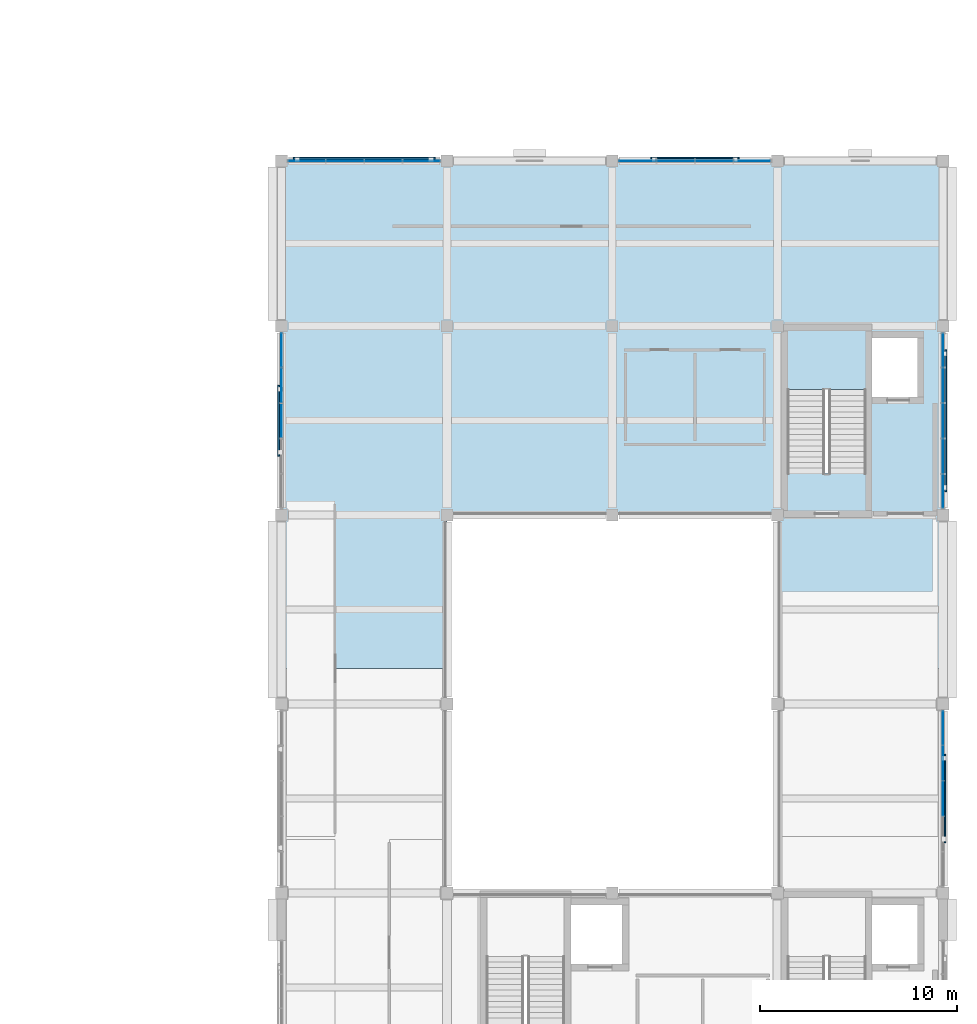
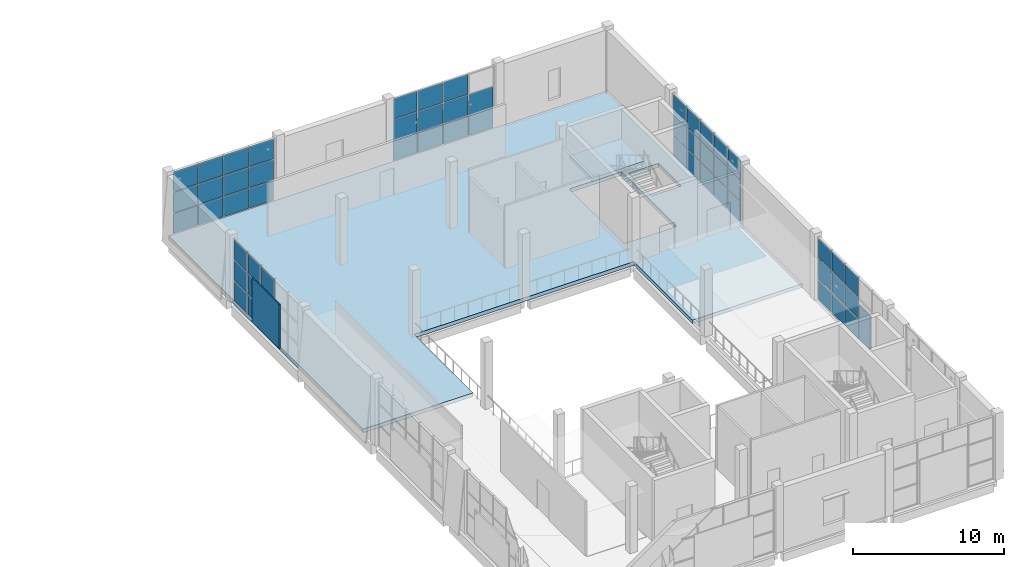
# One storey, part 36 of 57: 59 plates, 2 slabs, 6 elements without a shape of their own.
"""IFC4 building model written with IfcOpenShell, lengths in metres."""

from ifc_helpers import new_model, si_unit, direction, frame, origin, origin_2d, place, context, subcontext, project, spatial, polyline, rectangle, outline, extrude, material, layer, layer_set, type_object, element, aggregate, save


model = new_model("IFC4")

# Units and contexts
model_context = context("Model", 3, precision=1e-05, world=origin(), true_north=direction((0.0, 1.0)))
body_context = subcontext(model_context, "Body", "Model", "MODEL_VIEW")
ifc_project = project(units=[si_unit("LENGTHUNIT", "METRE"), si_unit("AREAUNIT", "SQUARE_METRE"), si_unit("VOLUMEUNIT", "CUBIC_METRE"), si_unit("PLANEANGLEUNIT", "RADIAN"), si_unit("MASSUNIT", "GRAM", prefix="KILO")], contexts=[model_context])

# Site, building, storey
site_placement = place(None, origin())
site = spatial("IfcSite", under=ifc_project, at=site_placement, CompositionType="ELEMENT")
building_placement = place(site_placement, origin())
building = spatial("IfcBuilding", under=site, at=building_placement, Name="Shalvenor Court Art Gallery", CompositionType="ELEMENT")
storey_placement = place(building_placement, frame((0.0, 0.0, 16.800048828125)))
storey = spatial("IfcBuildingStorey", under=building, at=storey_placement, Name="L03", CompositionType="ELEMENT", Elevation=16.800048828125)

# Curtain wall, plates
ifc_material_1 = material(Name="Anodised aluminium and low-iron glass curtain wall", Category="aluminium")
curtain_wall_type_1 = type_object("IfcCurtainWallType", Name="CW-4x3-78-51-142", PredefinedType="USERDEFINED", material=ifc_material_1)
curtain_wall_1_placement = place(storey_placement, origin())
curtain_wall_1 = element("IfcCurtainWall", 1, at=curtain_wall_1_placement, inside=storey, type_object=curtain_wall_type_1, Name="L03 V1 Curtain Wall CW-L03-020", ObjectType="CURTAIN WALL", PredefinedType="USERDEFINED")
ifc_material_2 = material(Name="Low-iron triple-silver solar gallery glazing IGU", Category="glass")
ifc_layer_1 = layer(ifc_material_2, 0.031982421875, Name="Low-iron triple-silver solar gallery glazing IGU")
ifc_layer_set_1 = layer_set([ifc_layer_1], Name="Low-iron triple-silver solar gallery glazing IGU")
plate_type_1 = type_object("IfcPlateType", Name="CWP-02", PredefinedType="CURTAIN_PANEL", material=ifc_layer_set_1)
plate_1_placement = place(storey_placement, frame((144.09130859375, 97.199951171875, 0.06982421875), z_axis=(0.0, 0.0, 1.0), x_axis=(1.0, 0.0, 0.0)))
plate_1 = element("IfcPlate", 2, at=plate_1_placement, type_object=plate_type_1, Name="CW-4x3-78-51-142 panel 1.1", PredefinedType="CURTAIN_PANEL", context=body_context, shape_type="SweptSolid", body=[
    extrude(rectangle(XDim=1.8525390625, YDim=0.031982421875, at=origin_2d()), origin(), (0.0, 0.0, 1.0), 1.594970703125),
])
plate_2_placement = place(storey_placement, frame((144.09130859375, 97.199951171875, 1.735107421875), z_axis=(0.0, 0.0, 1.0), x_axis=(1.0, 0.0, 0.0)))
plate_2 = element("IfcPlate", 3, at=plate_2_placement, type_object=plate_type_1, Name="CW-4x3-78-51-142 panel 1.2", PredefinedType="CURTAIN_PANEL", context=body_context, shape_type="SweptSolid", body=[
    extrude(rectangle(XDim=1.8525390625, YDim=0.031982421875, at=origin_2d()), origin(), (0.0, 0.0, 1.0), 1.6298828125),
])
plate_3_placement = place(storey_placement, frame((144.09130859375, 97.199951171875, 3.43505859375), z_axis=(0.0, 0.0, 1.0), x_axis=(1.0, 0.0, 0.0)))
plate_3 = element("IfcPlate", 4, at=plate_3_placement, type_object=plate_type_1, Name="CW-4x3-78-51-142 panel 1.3", PredefinedType="CURTAIN_PANEL", context=body_context, shape_type="SweptSolid", body=[
    extrude(rectangle(XDim=1.8525390625, YDim=0.031982421875, at=origin_2d()), origin(), (0.0, 0.0, 1.0), 1.594970703125),
])
plate_4_placement = place(storey_placement, frame((146.02490234375, 97.199951171875, 0.06982421875), z_axis=(0.0, 0.0, 1.0), x_axis=(1.0, 0.0, 0.0)))
plate_4 = element("IfcPlate", 5, at=plate_4_placement, type_object=plate_type_1, Name="CW-4x3-78-51-142 panel 2.1", PredefinedType="CURTAIN_PANEL", context=body_context, shape_type="SweptSolid", body=[
    extrude(rectangle(XDim=1.885009765625, YDim=0.031982421875, at=origin_2d()), origin(), (0.0, 0.0, 1.0), 1.594970703125),
])
plate_5_placement = place(storey_placement, frame((146.02490234375, 97.199951171875, 1.735107421875), z_axis=(0.0, 0.0, 1.0), x_axis=(1.0, 0.0, 0.0)))
plate_5 = element("IfcPlate", 6, at=plate_5_placement, type_object=plate_type_1, Name="CW-4x3-78-51-142 panel 2.2", PredefinedType="CURTAIN_PANEL", context=body_context, shape_type="SweptSolid", body=[
    extrude(rectangle(XDim=1.885009765625, YDim=0.031982421875, at=origin_2d()), origin(), (0.0, 0.0, 1.0), 1.6298828125),
])
plate_6_placement = place(storey_placement, frame((146.02490234375, 97.199951171875, 3.43505859375), z_axis=(0.0, 0.0, 1.0), x_axis=(1.0, 0.0, 0.0)))
plate_6 = element("IfcPlate", 7, at=plate_6_placement, type_object=plate_type_1, Name="CW-4x3-78-51-142 panel 2.3", PredefinedType="CURTAIN_PANEL", context=body_context, shape_type="SweptSolid", body=[
    extrude(rectangle(XDim=1.885009765625, YDim=0.031982421875, at=origin_2d()), origin(), (0.0, 0.0, 1.0), 1.594970703125),
])
plate_7_placement = place(storey_placement, frame((147.97509765625, 97.199951171875, 0.06982421875), z_axis=(0.0, 0.0, 1.0), x_axis=(1.0, 0.0, 0.0)))
plate_7 = element("IfcPlate", 8, at=plate_7_placement, type_object=plate_type_1, Name="CW-4x3-78-51-142 panel 3.1", PredefinedType="CURTAIN_PANEL", context=body_context, shape_type="SweptSolid", body=[
    extrude(rectangle(XDim=1.885009765625, YDim=0.031982421875, at=origin_2d()), origin(), (0.0, 0.0, 1.0), 1.594970703125),
])
plate_8_placement = place(storey_placement, frame((147.97509765625, 97.199951171875, 1.735107421875), z_axis=(0.0, 0.0, 1.0), x_axis=(1.0, 0.0, 0.0)))
plate_8 = element("IfcPlate", 9, at=plate_8_placement, type_object=plate_type_1, Name="CW-4x3-78-51-142 panel 3.2", PredefinedType="CURTAIN_PANEL", context=body_context, shape_type="SweptSolid", body=[
    extrude(rectangle(XDim=1.885009765625, YDim=0.031982421875, at=origin_2d()), origin(), (0.0, 0.0, 1.0), 1.6298828125),
])
plate_9_placement = place(storey_placement, frame((147.97509765625, 97.199951171875, 3.43505859375), z_axis=(0.0, 0.0, 1.0), x_axis=(1.0, 0.0, 0.0)))
plate_9 = element("IfcPlate", 10, at=plate_9_placement, type_object=plate_type_1, Name="CW-4x3-78-51-142 panel 3.3", PredefinedType="CURTAIN_PANEL", context=body_context, shape_type="SweptSolid", body=[
    extrude(rectangle(XDim=1.885009765625, YDim=0.031982421875, at=origin_2d()), origin(), (0.0, 0.0, 1.0), 1.594970703125),
])
plate_10_placement = place(storey_placement, frame((149.90869140625, 97.199951171875, 0.06982421875), z_axis=(0.0, 0.0, 1.0), x_axis=(1.0, 0.0, 0.0)))
plate_10 = element("IfcPlate", 11, at=plate_10_placement, type_object=plate_type_1, Name="CW-4x3-78-51-142 panel 4.1", PredefinedType="CURTAIN_PANEL", context=body_context, shape_type="SweptSolid", body=[
    extrude(rectangle(XDim=1.8525390625, YDim=0.031982421875, at=origin_2d()), origin(), (0.0, 0.0, 1.0), 1.594970703125),
])
plate_11_placement = place(storey_placement, frame((149.90869140625, 97.199951171875, 1.735107421875), z_axis=(0.0, 0.0, 1.0), x_axis=(1.0, 0.0, 0.0)))
plate_11 = element("IfcPlate", 12, at=plate_11_placement, type_object=plate_type_1, Name="CW-4x3-78-51-142 panel 4.2", PredefinedType="CURTAIN_PANEL", context=body_context, shape_type="SweptSolid", body=[
    extrude(rectangle(XDim=1.8525390625, YDim=0.031982421875, at=origin_2d()), origin(), (0.0, 0.0, 1.0), 1.6298828125),
])
plate_12_placement = place(storey_placement, frame((149.90869140625, 97.199951171875, 3.43505859375), z_axis=(0.0, 0.0, 1.0), x_axis=(1.0, 0.0, 0.0)))
plate_12 = element("IfcPlate", 13, at=plate_12_placement, type_object=plate_type_1, Name="CW-4x3-78-51-142 panel 4.3", PredefinedType="CURTAIN_PANEL", context=body_context, shape_type="SweptSolid", body=[
    extrude(rectangle(XDim=1.8525390625, YDim=0.031982421875, at=origin_2d()), origin(), (0.0, 0.0, 1.0), 1.594970703125),
])
aggregate(curtain_wall_1, [plate_1, plate_2, plate_3, plate_4, plate_5, plate_6, plate_7, plate_8, plate_9, plate_10, plate_11, plate_12])

ifc_material_3 = material(Name="Anodised aluminium and low-iron glass curtain wall", Category="aluminium")
curtain_wall_type_2 = type_object("IfcCurtainWallType", Name="CW-4x3-78-51-212", PredefinedType="USERDEFINED", material=ifc_material_3)
curtain_wall_2_placement = place(storey_placement, origin())
curtain_wall_2 = element("IfcCurtainWall", 14, at=curtain_wall_2_placement, inside=storey, type_object=curtain_wall_type_2, Name="L03 V1 Curtain Wall CW-L03-021", ObjectType="CURTAIN WALL", PredefinedType="USERDEFINED")
plate_13_placement = place(storey_placement, frame((160.892578125, 97.199951171875, 0.06005859375), z_axis=(0.0, 0.0, 1.0), x_axis=(1.0, 0.0, 0.0)))
plate_13 = element("IfcPlate", 15, at=plate_13_placement, type_object=plate_type_1, Name="CW-4x3-78-51-212 panel 1.1", PredefinedType="CURTAIN_PANEL", context=body_context, shape_type="SweptSolid", body=[
    extrude(rectangle(XDim=1.844970703125, YDim=0.031982421875, at=origin_2d()), origin(), (0.0, 0.0, 1.0), 1.610107421875),
])
plate_14_placement = place(storey_placement, frame((160.892578125, 97.199951171875, 1.72998046875), z_axis=(0.0, 0.0, 1.0), x_axis=(1.0, 0.0, 0.0)))
plate_14 = element("IfcPlate", 16, at=plate_14_placement, type_object=plate_type_1, Name="CW-4x3-78-51-212 panel 1.2", PredefinedType="CURTAIN_PANEL", context=body_context, shape_type="SweptSolid", body=[
    extrude(rectangle(XDim=1.844970703125, YDim=0.031982421875, at=origin_2d()), origin(), (0.0, 0.0, 1.0), 1.639892578125),
])
plate_15_placement = place(storey_placement, frame((160.892578125, 97.199951171875, 3.4296875), z_axis=(0.0, 0.0, 1.0), x_axis=(1.0, 0.0, 0.0)))
plate_15 = element("IfcPlate", 17, at=plate_15_placement, type_object=plate_type_1, Name="CW-4x3-78-51-212 panel 1.3", PredefinedType="CURTAIN_PANEL", context=body_context, shape_type="SweptSolid", body=[
    extrude(rectangle(XDim=1.844970703125, YDim=0.031982421875, at=origin_2d()), origin(), (0.0, 0.0, 1.0), 1.610107421875),
])
plate_16_placement = place(storey_placement, frame((162.824951171875, 97.199951171875, 0.06005859375), z_axis=(0.0, 0.0, 1.0), x_axis=(1.0, 0.0, 0.0)))
plate_16 = element("IfcPlate", 18, at=plate_16_placement, type_object=plate_type_1, Name="CW-4x3-78-51-212 panel 2.1", PredefinedType="CURTAIN_PANEL", context=body_context, shape_type="SweptSolid", body=[
    extrude(rectangle(XDim=1.8798828125, YDim=0.031982421875, at=origin_2d()), origin(), (0.0, 0.0, 1.0), 1.610107421875),
])
plate_17_placement = place(storey_placement, frame((162.824951171875, 97.199951171875, 1.72998046875), z_axis=(0.0, 0.0, 1.0), x_axis=(1.0, 0.0, 0.0)))
plate_17 = element("IfcPlate", 19, at=plate_17_placement, type_object=plate_type_1, Name="CW-4x3-78-51-212 panel 2.2", PredefinedType="CURTAIN_PANEL", context=body_context, shape_type="SweptSolid", body=[
    extrude(rectangle(XDim=1.8798828125, YDim=0.031982421875, at=origin_2d()), origin(), (0.0, 0.0, 1.0), 1.639892578125),
])
plate_18_placement = place(storey_placement, frame((162.824951171875, 97.199951171875, 3.4296875), z_axis=(0.0, 0.0, 1.0), x_axis=(1.0, 0.0, 0.0)))
plate_18 = element("IfcPlate", 20, at=plate_18_placement, type_object=plate_type_1, Name="CW-4x3-78-51-212 panel 2.3", PredefinedType="CURTAIN_PANEL", context=body_context, shape_type="SweptSolid", body=[
    extrude(rectangle(XDim=1.8798828125, YDim=0.031982421875, at=origin_2d()), origin(), (0.0, 0.0, 1.0), 1.610107421875),
])
plate_19_placement = place(storey_placement, frame((164.77490234375, 97.199951171875, 0.06005859375), z_axis=(0.0, 0.0, 1.0), x_axis=(1.0, 0.0, 0.0)))
plate_19 = element("IfcPlate", 21, at=plate_19_placement, type_object=plate_type_1, Name="CW-4x3-78-51-212 panel 3.1", PredefinedType="CURTAIN_PANEL", context=body_context, shape_type="SweptSolid", body=[
    extrude(rectangle(XDim=1.8798828125, YDim=0.031982421875, at=origin_2d()), origin(), (0.0, 0.0, 1.0), 1.610107421875),
])
plate_20_placement = place(storey_placement, frame((164.77490234375, 97.199951171875, 1.72998046875), z_axis=(0.0, 0.0, 1.0), x_axis=(1.0, 0.0, 0.0)))
plate_20 = element("IfcPlate", 22, at=plate_20_placement, type_object=plate_type_1, Name="CW-4x3-78-51-212 panel 3.2", PredefinedType="CURTAIN_PANEL", context=body_context, shape_type="SweptSolid", body=[
    extrude(rectangle(XDim=1.8798828125, YDim=0.031982421875, at=origin_2d()), origin(), (0.0, 0.0, 1.0), 1.639892578125),
])
plate_21_placement = place(storey_placement, frame((164.77490234375, 97.199951171875, 3.4296875), z_axis=(0.0, 0.0, 1.0), x_axis=(1.0, 0.0, 0.0)))
plate_21 = element("IfcPlate", 23, at=plate_21_placement, type_object=plate_type_1, Name="CW-4x3-78-51-212 panel 3.3", PredefinedType="CURTAIN_PANEL", context=body_context, shape_type="SweptSolid", body=[
    extrude(rectangle(XDim=1.8798828125, YDim=0.031982421875, at=origin_2d()), origin(), (0.0, 0.0, 1.0), 1.610107421875),
])
plate_22_placement = place(storey_placement, frame((166.70751953125, 97.199951171875, 0.06005859375), z_axis=(0.0, 0.0, 1.0), x_axis=(1.0, 0.0, 0.0)))
plate_22 = element("IfcPlate", 24, at=plate_22_placement, type_object=plate_type_1, Name="CW-4x3-78-51-212 panel 4.1", PredefinedType="CURTAIN_PANEL", context=body_context, shape_type="SweptSolid", body=[
    extrude(rectangle(XDim=1.844970703125, YDim=0.031982421875, at=origin_2d()), origin(), (0.0, 0.0, 1.0), 1.610107421875),
])
plate_23_placement = place(storey_placement, frame((166.70751953125, 97.199951171875, 1.72998046875), z_axis=(0.0, 0.0, 1.0), x_axis=(1.0, 0.0, 0.0)))
plate_23 = element("IfcPlate", 25, at=plate_23_placement, type_object=plate_type_1, Name="CW-4x3-78-51-212 panel 4.2", PredefinedType="CURTAIN_PANEL", context=body_context, shape_type="SweptSolid", body=[
    extrude(rectangle(XDim=1.844970703125, YDim=0.031982421875, at=origin_2d()), origin(), (0.0, 0.0, 1.0), 1.639892578125),
])
aggregate(curtain_wall_2, [plate_13, plate_14, plate_15, plate_16, plate_17, plate_18, plate_19, plate_20, plate_21, plate_22, plate_23])

ifc_material_4 = material(Name="Anodised aluminium and low-iron glass curtain wall", Category="aluminium")
curtain_wall_type_3 = type_object("IfcCurtainWallType", Name="CW-5x3-90-51-422", PredefinedType="USERDEFINED", material=ifc_material_4)
curtain_wall_3_placement = place(storey_placement, origin())
curtain_wall_3 = element("IfcCurtainWall", 26, at=curtain_wall_3_placement, inside=storey, type_object=curtain_wall_type_3, Name="L03 V1 Curtain Wall CW-L03-022", ObjectType="CURTAIN WALL", PredefinedType="USERDEFINED")
plate_24_placement = place(storey_placement, frame((176.39990234375, 87.581298828125, 0.06494140625), z_axis=(0.0, 0.0, 1.0), x_axis=(0.0, -1.0, 0.0)))
plate_24 = element("IfcPlate", 27, at=plate_24_placement, type_object=plate_type_1, Name="CW-5x3-90-51-422 panel 1.1", PredefinedType="CURTAIN_PANEL", context=body_context, shape_type="SweptSolid", body=[
    extrude(rectangle(XDim=1.6875, YDim=0.031982421875, at=origin_2d()), origin(), (0.0, 0.0, 1.0), 1.6025390625),
])
plate_25_placement = place(storey_placement, frame((176.39990234375, 87.581298828125, 1.732421875), z_axis=(0.0, 0.0, 1.0), x_axis=(0.0, -1.0, 0.0)))
plate_25 = element("IfcPlate", 28, at=plate_25_placement, type_object=plate_type_1, Name="CW-5x3-90-51-422 panel 1.2", PredefinedType="CURTAIN_PANEL", context=body_context, shape_type="SweptSolid", body=[
    extrude(rectangle(XDim=1.6875, YDim=0.031982421875, at=origin_2d()), origin(), (0.0, 0.0, 1.0), 1.635009765625),
])
plate_26_placement = place(storey_placement, frame((176.39990234375, 87.581298828125, 3.432373046875), z_axis=(0.0, 0.0, 1.0), x_axis=(0.0, -1.0, 0.0)))
plate_26 = element("IfcPlate", 29, at=plate_26_placement, type_object=plate_type_1, Name="CW-5x3-90-51-422 panel 1.3", PredefinedType="CURTAIN_PANEL", context=body_context, shape_type="SweptSolid", body=[
    extrude(rectangle(XDim=1.6875, YDim=0.031982421875, at=origin_2d()), origin(), (0.0, 0.0, 1.0), 1.6025390625),
])
plate_27_placement = place(storey_placement, frame((176.39990234375, 85.800048828125, 0.06494140625), z_axis=(0.0, 0.0, 1.0), x_axis=(0.0, -1.0, 0.0)))
plate_27 = element("IfcPlate", 30, at=plate_27_placement, type_object=plate_type_1, Name="CW-5x3-90-51-422 panel 2.1", PredefinedType="CURTAIN_PANEL", context=body_context, shape_type="SweptSolid", body=[
    extrude(rectangle(XDim=1.72509765625, YDim=0.031982421875, at=origin_2d()), origin(), (0.0, 0.0, 1.0), 1.6025390625),
])
plate_28_placement = place(storey_placement, frame((176.39990234375, 85.800048828125, 1.732421875), z_axis=(0.0, 0.0, 1.0), x_axis=(0.0, -1.0, 0.0)))
plate_28 = element("IfcPlate", 31, at=plate_28_placement, type_object=plate_type_1, Name="CW-5x3-90-51-422 panel 2.2", PredefinedType="CURTAIN_PANEL", context=body_context, shape_type="SweptSolid", body=[
    extrude(rectangle(XDim=1.72509765625, YDim=0.031982421875, at=origin_2d()), origin(), (0.0, 0.0, 1.0), 1.635009765625),
])
plate_29_placement = place(storey_placement, frame((176.39990234375, 85.800048828125, 3.432373046875), z_axis=(0.0, 0.0, 1.0), x_axis=(0.0, -1.0, 0.0)))
plate_29 = element("IfcPlate", 32, at=plate_29_placement, type_object=plate_type_1, Name="CW-5x3-90-51-422 panel 2.3", PredefinedType="CURTAIN_PANEL", context=body_context, shape_type="SweptSolid", body=[
    extrude(rectangle(XDim=1.72509765625, YDim=0.031982421875, at=origin_2d()), origin(), (0.0, 0.0, 1.0), 1.6025390625),
])
plate_30_placement = place(storey_placement, frame((176.39990234375, 84.0, 0.06494140625), z_axis=(0.0, 0.0, 1.0), x_axis=(0.0, -1.0, 0.0)))
plate_30 = element("IfcPlate", 33, at=plate_30_placement, type_object=plate_type_1, Name="CW-5x3-90-51-422 panel 3.1", PredefinedType="CURTAIN_PANEL", context=body_context, shape_type="SweptSolid", body=[
    extrude(rectangle(XDim=1.72509765625, YDim=0.031982421875, at=origin_2d()), origin(), (0.0, 0.0, 1.0), 1.6025390625),
])
plate_31_placement = place(storey_placement, frame((176.39990234375, 84.0, 1.732421875), z_axis=(0.0, 0.0, 1.0), x_axis=(0.0, -1.0, 0.0)))
plate_31 = element("IfcPlate", 34, at=plate_31_placement, type_object=plate_type_1, Name="CW-5x3-90-51-422 panel 3.2", PredefinedType="CURTAIN_PANEL", context=body_context, shape_type="SweptSolid", body=[
    extrude(rectangle(XDim=1.72509765625, YDim=0.031982421875, at=origin_2d()), origin(), (0.0, 0.0, 1.0), 1.635009765625),
])
plate_32_placement = place(storey_placement, frame((176.39990234375, 84.0, 3.432373046875), z_axis=(0.0, 0.0, 1.0), x_axis=(0.0, -1.0, 0.0)))
plate_32 = element("IfcPlate", 35, at=plate_32_placement, type_object=plate_type_1, Name="CW-5x3-90-51-422 panel 3.3", PredefinedType="CURTAIN_PANEL", context=body_context, shape_type="SweptSolid", body=[
    extrude(rectangle(XDim=1.72509765625, YDim=0.031982421875, at=origin_2d()), origin(), (0.0, 0.0, 1.0), 1.6025390625),
])
plate_33_placement = place(storey_placement, frame((176.39990234375, 82.199951171875, 0.06494140625), z_axis=(0.0, 0.0, 1.0), x_axis=(0.0, -1.0, 0.0)))
plate_33 = element("IfcPlate", 36, at=plate_33_placement, type_object=plate_type_1, Name="CW-5x3-90-51-422 panel 4.1", PredefinedType="CURTAIN_PANEL", context=body_context, shape_type="SweptSolid", body=[
    extrude(rectangle(XDim=1.72509765625, YDim=0.031982421875, at=origin_2d()), origin(), (0.0, 0.0, 1.0), 1.6025390625),
])
plate_34_placement = place(storey_placement, frame((176.39990234375, 82.199951171875, 1.732421875), z_axis=(0.0, 0.0, 1.0), x_axis=(0.0, -1.0, 0.0)))
plate_34 = element("IfcPlate", 37, at=plate_34_placement, type_object=plate_type_1, Name="CW-5x3-90-51-422 panel 4.2", PredefinedType="CURTAIN_PANEL", context=body_context, shape_type="SweptSolid", body=[
    extrude(rectangle(XDim=1.72509765625, YDim=0.031982421875, at=origin_2d()), origin(), (0.0, 0.0, 1.0), 1.635009765625),
])
plate_35_placement = place(storey_placement, frame((176.39990234375, 82.199951171875, 3.432373046875), z_axis=(0.0, 0.0, 1.0), x_axis=(0.0, -1.0, 0.0)))
plate_35 = element("IfcPlate", 38, at=plate_35_placement, type_object=plate_type_1, Name="CW-5x3-90-51-422 panel 4.3", PredefinedType="CURTAIN_PANEL", context=body_context, shape_type="SweptSolid", body=[
    extrude(rectangle(XDim=1.72509765625, YDim=0.031982421875, at=origin_2d()), origin(), (0.0, 0.0, 1.0), 1.6025390625),
])
plate_36_placement = place(storey_placement, frame((176.39990234375, 80.418701171875, 0.06494140625), z_axis=(0.0, 0.0, 1.0), x_axis=(0.0, -1.0, 0.0)))
plate_36 = element("IfcPlate", 39, at=plate_36_placement, type_object=plate_type_1, Name="CW-5x3-90-51-422 panel 5.1", PredefinedType="CURTAIN_PANEL", context=body_context, shape_type="SweptSolid", body=[
    extrude(rectangle(XDim=1.6875, YDim=0.031982421875, at=origin_2d()), origin(), (0.0, 0.0, 1.0), 1.6025390625),
])
plate_37_placement = place(storey_placement, frame((176.39990234375, 80.418701171875, 1.732421875), z_axis=(0.0, 0.0, 1.0), x_axis=(0.0, -1.0, 0.0)))
plate_37 = element("IfcPlate", 40, at=plate_37_placement, type_object=plate_type_1, Name="CW-5x3-90-51-422 panel 5.2", PredefinedType="CURTAIN_PANEL", context=body_context, shape_type="SweptSolid", body=[
    extrude(rectangle(XDim=1.6875, YDim=0.031982421875, at=origin_2d()), origin(), (0.0, 0.0, 1.0), 1.635009765625),
])
plate_38_placement = place(storey_placement, frame((176.39990234375, 80.418701171875, 3.432373046875), z_axis=(0.0, 0.0, 1.0), x_axis=(0.0, -1.0, 0.0)))
plate_38 = element("IfcPlate", 41, at=plate_38_placement, type_object=plate_type_1, Name="CW-5x3-90-51-422 panel 5.3", PredefinedType="CURTAIN_PANEL", context=body_context, shape_type="SweptSolid", body=[
    extrude(rectangle(XDim=1.6875, YDim=0.031982421875, at=origin_2d()), origin(), (0.0, 0.0, 1.0), 1.6025390625),
])
aggregate(curtain_wall_3, [plate_24, plate_25, plate_26, plate_27, plate_28, plate_29, plate_30, plate_31, plate_32, plate_33, plate_34, plate_35, plate_36, plate_37, plate_38])

ifc_material_5 = material(Name="Anodised aluminium and low-iron glass curtain wall", Category="aluminium")
curtain_wall_type_4 = type_object("IfcCurtainWallType", Name="CW-5x3-90-51-642", PredefinedType="USERDEFINED", material=ifc_material_5)
curtain_wall_4_placement = place(storey_placement, origin())
curtain_wall_4 = element("IfcCurtainWall", 42, at=curtain_wall_4_placement, inside=storey, type_object=curtain_wall_type_4, Name="L03 V1 Curtain Wall CW-L03-023", ObjectType="CURTAIN WALL", PredefinedType="USERDEFINED")
plate_39_placement = place(storey_placement, frame((176.39990234375, 68.38623046875, 0.06982421875), z_axis=(0.0, 0.0, 1.0), x_axis=(0.0, -1.0, 0.0)))
plate_39 = element("IfcPlate", 43, at=plate_39_placement, type_object=plate_type_1, Name="CW-5x3-90-51-642 panel 1.1", PredefinedType="CURTAIN_PANEL", context=body_context, shape_type="SweptSolid", body=[
    extrude(rectangle(XDim=1.717529296875, YDim=0.031982421875, at=origin_2d()), origin(), (0.0, 0.0, 1.0), 1.594970703125),
])
plate_40_placement = place(storey_placement, frame((176.39990234375, 68.38623046875, 1.735107421875), z_axis=(0.0, 0.0, 1.0), x_axis=(0.0, -1.0, 0.0)))
plate_40 = element("IfcPlate", 44, at=plate_40_placement, type_object=plate_type_1, Name="CW-5x3-90-51-642 panel 1.2", PredefinedType="CURTAIN_PANEL", context=body_context, shape_type="SweptSolid", body=[
    extrude(rectangle(XDim=1.717529296875, YDim=0.031982421875, at=origin_2d()), origin(), (0.0, 0.0, 1.0), 1.6298828125),
])
plate_41_placement = place(storey_placement, frame((176.39990234375, 68.38623046875, 3.43505859375), z_axis=(0.0, 0.0, 1.0), x_axis=(0.0, -1.0, 0.0)))
plate_41 = element("IfcPlate", 45, at=plate_41_placement, type_object=plate_type_1, Name="CW-5x3-90-51-642 panel 1.3", PredefinedType="CURTAIN_PANEL", context=body_context, shape_type="SweptSolid", body=[
    extrude(rectangle(XDim=1.717529296875, YDim=0.031982421875, at=origin_2d()), origin(), (0.0, 0.0, 1.0), 1.594970703125),
])
plate_42_placement = place(storey_placement, frame((176.39990234375, 66.60009765625, 0.06982421875), z_axis=(0.0, 0.0, 1.0), x_axis=(0.0, -1.0, 0.0)))
plate_42 = element("IfcPlate", 46, at=plate_42_placement, type_object=plate_type_1, Name="CW-5x3-90-51-642 panel 2.1", PredefinedType="CURTAIN_PANEL", context=body_context, shape_type="SweptSolid", body=[
    extrude(rectangle(XDim=1.7451171875, YDim=0.031982421875, at=origin_2d()), origin(), (0.0, 0.0, 1.0), 1.594970703125),
])
plate_43_placement = place(storey_placement, frame((176.39990234375, 66.60009765625, 1.735107421875), z_axis=(0.0, 0.0, 1.0), x_axis=(0.0, -1.0, 0.0)))
plate_43 = element("IfcPlate", 47, at=plate_43_placement, type_object=plate_type_1, Name="CW-5x3-90-51-642 panel 2.2", PredefinedType="CURTAIN_PANEL", context=body_context, shape_type="SweptSolid", body=[
    extrude(rectangle(XDim=1.7451171875, YDim=0.031982421875, at=origin_2d()), origin(), (0.0, 0.0, 1.0), 1.6298828125),
])
plate_44_placement = place(storey_placement, frame((176.39990234375, 66.60009765625, 3.43505859375), z_axis=(0.0, 0.0, 1.0), x_axis=(0.0, -1.0, 0.0)))
plate_44 = element("IfcPlate", 48, at=plate_44_placement, type_object=plate_type_1, Name="CW-5x3-90-51-642 panel 2.3", PredefinedType="CURTAIN_PANEL", context=body_context, shape_type="SweptSolid", body=[
    extrude(rectangle(XDim=1.7451171875, YDim=0.031982421875, at=origin_2d()), origin(), (0.0, 0.0, 1.0), 1.594970703125),
])
plate_45_placement = place(storey_placement, frame((176.39990234375, 64.800048828125, 0.06982421875), z_axis=(0.0, 0.0, 1.0), x_axis=(0.0, -1.0, 0.0)))
plate_45 = element("IfcPlate", 49, at=plate_45_placement, type_object=plate_type_1, Name="CW-5x3-90-51-642 panel 3.1", PredefinedType="CURTAIN_PANEL", context=body_context, shape_type="SweptSolid", body=[
    extrude(rectangle(XDim=1.7451171875, YDim=0.031982421875, at=origin_2d()), origin(), (0.0, 0.0, 1.0), 1.594970703125),
])
plate_46_placement = place(storey_placement, frame((176.39990234375, 64.800048828125, 1.735107421875), z_axis=(0.0, 0.0, 1.0), x_axis=(0.0, -1.0, 0.0)))
plate_46 = element("IfcPlate", 50, at=plate_46_placement, type_object=plate_type_1, Name="CW-5x3-90-51-642 panel 3.2", PredefinedType="CURTAIN_PANEL", context=body_context, shape_type="SweptSolid", body=[
    extrude(rectangle(XDim=1.7451171875, YDim=0.031982421875, at=origin_2d()), origin(), (0.0, 0.0, 1.0), 1.6298828125),
])
plate_47_placement = place(storey_placement, frame((176.39990234375, 64.800048828125, 3.43505859375), z_axis=(0.0, 0.0, 1.0), x_axis=(0.0, -1.0, 0.0)))
plate_47 = element("IfcPlate", 51, at=plate_47_placement, type_object=plate_type_1, Name="CW-5x3-90-51-642 panel 3.3", PredefinedType="CURTAIN_PANEL", context=body_context, shape_type="SweptSolid", body=[
    extrude(rectangle(XDim=1.7451171875, YDim=0.031982421875, at=origin_2d()), origin(), (0.0, 0.0, 1.0), 1.594970703125),
])
aggregate(curtain_wall_4, [plate_39, plate_40, plate_41, plate_42, plate_43, plate_44, plate_45, plate_46, plate_47])

ifc_material_6 = material(Name="Anodised aluminium and low-iron glass curtain wall", Category="aluminium")
curtain_wall_type_5 = type_object("IfcCurtainWallType", Name="CW-5x3-90-51-242", PredefinedType="USERDEFINED", material=ifc_material_6)
curtain_wall_5_placement = place(storey_placement, origin())
curtain_wall_5 = element("IfcCurtainWall", 52, at=curtain_wall_5_placement, inside=storey, type_object=curtain_wall_type_5, Name="L03 V1 Curtain Wall CW-L03-029", ObjectType="CURTAIN WALL", PredefinedType="USERDEFINED")
plate_48_placement = place(storey_placement, frame((142.800048828125, 84.0, 3.43505859375), z_axis=(0.0, 0.0, 1.0), x_axis=(0.0, 1.0, 0.0)))
plate_48 = element("IfcPlate", 53, at=plate_48_placement, type_object=plate_type_1, Name="CW-5x3-90-51-242 panel 3.3", PredefinedType="CURTAIN_PANEL", context=body_context, shape_type="SweptSolid", body=[
    extrude(rectangle(XDim=1.72998046875, YDim=0.031982421875, at=origin_2d()), origin(), (0.0, 0.0, 1.0), 1.594970703125),
])
plate_49_placement = place(storey_placement, frame((142.800048828125, 85.800048828125, 0.06982421875), z_axis=(0.0, 0.0, 1.0), x_axis=(0.0, 1.0, 0.0)))
plate_49 = element("IfcPlate", 54, at=plate_49_placement, type_object=plate_type_1, Name="CW-5x3-90-51-242 panel 4.1", PredefinedType="CURTAIN_PANEL", context=body_context, shape_type="SweptSolid", body=[
    extrude(rectangle(XDim=1.72998046875, YDim=0.031982421875, at=origin_2d()), origin(), (0.0, 0.0, 1.0), 1.594970703125),
])
plate_50_placement = place(storey_placement, frame((142.800048828125, 85.800048828125, 1.735107421875), z_axis=(0.0, 0.0, 1.0), x_axis=(0.0, 1.0, 0.0)))
plate_50 = element("IfcPlate", 55, at=plate_50_placement, type_object=plate_type_1, Name="CW-5x3-90-51-242 panel 4.2", PredefinedType="CURTAIN_PANEL", context=body_context, shape_type="SweptSolid", body=[
    extrude(rectangle(XDim=1.72998046875, YDim=0.031982421875, at=origin_2d()), origin(), (0.0, 0.0, 1.0), 1.6298828125),
])
plate_51_placement = place(storey_placement, frame((142.800048828125, 85.800048828125, 3.43505859375), z_axis=(0.0, 0.0, 1.0), x_axis=(0.0, 1.0, 0.0)))
plate_51 = element("IfcPlate", 56, at=plate_51_placement, type_object=plate_type_1, Name="CW-5x3-90-51-242 panel 4.3", PredefinedType="CURTAIN_PANEL", context=body_context, shape_type="SweptSolid", body=[
    extrude(rectangle(XDim=1.72998046875, YDim=0.031982421875, at=origin_2d()), origin(), (0.0, 0.0, 1.0), 1.594970703125),
])
plate_52_placement = place(storey_placement, frame((142.800048828125, 87.58251953125, 0.06982421875), z_axis=(0.0, 0.0, 1.0), x_axis=(0.0, 1.0, 0.0)))
plate_52 = element("IfcPlate", 57, at=plate_52_placement, type_object=plate_type_1, Name="CW-5x3-90-51-242 panel 5.1", PredefinedType="CURTAIN_PANEL", context=body_context, shape_type="SweptSolid", body=[
    extrude(rectangle(XDim=1.695068359375, YDim=0.031982421875, at=origin_2d()), origin(), (0.0, 0.0, 1.0), 1.594970703125),
])
plate_53_placement = place(storey_placement, frame((142.800048828125, 87.58251953125, 1.735107421875), z_axis=(0.0, 0.0, 1.0), x_axis=(0.0, 1.0, 0.0)))
plate_53 = element("IfcPlate", 58, at=plate_53_placement, type_object=plate_type_1, Name="CW-5x3-90-51-242 panel 5.2", PredefinedType="CURTAIN_PANEL", context=body_context, shape_type="SweptSolid", body=[
    extrude(rectangle(XDim=1.695068359375, YDim=0.031982421875, at=origin_2d()), origin(), (0.0, 0.0, 1.0), 1.6298828125),
])
plate_54_placement = place(storey_placement, frame((142.800048828125, 87.58251953125, 3.43505859375), z_axis=(0.0, 0.0, 1.0), x_axis=(0.0, 1.0, 0.0)))
plate_54 = element("IfcPlate", 59, at=plate_54_placement, type_object=plate_type_1, Name="CW-5x3-90-51-242 panel 5.3", PredefinedType="CURTAIN_PANEL", context=body_context, shape_type="SweptSolid", body=[
    extrude(rectangle(XDim=1.695068359375, YDim=0.031982421875, at=origin_2d()), origin(), (0.0, 0.0, 1.0), 1.594970703125),
])
aggregate(curtain_wall_5, [plate_48, plate_49, plate_50, plate_51, plate_52, plate_53, plate_54])

# Slab
ifc_material_7 = material(Name="Concrete C40/50", Category="concrete")
ifc_layer_2 = layer(ifc_material_7, 0.300048828125, Name="Concrete C40/50")
ifc_layer_set_2 = layer_set([ifc_layer_2], Name="Concrete C40/50")
slab_type_1 = type_object("IfcSlabType", Name="FS-300", PredefinedType="FLOOR", material=ifc_layer_set_2)
slab_1_placement = place(storey_placement, frame((0.0, 0.0, -0.300048828125)))
element("IfcSlab", 60, at=slab_1_placement, inside=storey, type_object=slab_type_1, Name="L03 V1 Floor Slab 2", PredefinedType="FLOOR", context=body_context, shape_type="SweptSolid", body=[
    extrude(outline(polyline([(176.39990234375, 71.39990234375), (168.0, 71.39990234375), (168.0, 79.199951171875), (151.199951171875, 79.199951171875), (151.199951171875, 71.39990234375), (142.800048828125, 71.39990234375), (142.800048828125, 97.199951171875), (176.39990234375, 97.199951171875), (176.39990234375, 71.39990234375)]), holes=[polyline([(168.5, 81.31103515625), (172.5, 81.31103515625), (172.5, 88.60009765625), (168.5, 88.60009765625), (168.5, 81.31103515625)]), polyline([(175.10009765625, 85.199951171875), (175.10009765625, 88.199951171875), (172.81201171875, 88.199951171875), (172.81201171875, 85.199951171875), (175.10009765625, 85.199951171875)])]), origin(), (0.0, 0.0, 1.0), 0.300048828125),
])

# Plates
ifc_material_8 = material(Name="Perforated pale limestone GRC lattice", Category="masonry")
ifc_layer_3 = layer(ifc_material_8, 0.090087890625, Name="Perforated pale limestone GRC lattice")
ifc_layer_set_3 = layer_set([ifc_layer_3], Name="Perforated pale limestone GRC lattice")
plate_type_2 = type_object("IfcPlateType", Name="SCR-01", PredefinedType="USERDEFINED", material=ifc_layer_set_3)
plate_55_placement = place(storey_placement, frame((142.656982421875, 84.0, 0.0), z_axis=(0.0, 0.0, 1.0), x_axis=(0.0, 1.0, 0.0)))
element("IfcPlate", 61, at=plate_55_placement, inside=storey, type_object=plate_type_2, Name="L03 V1 Perforated Stone Lattice Screen PLT-SCR-0029", ObjectType="SCREEN", PredefinedType="USERDEFINED", context=body_context, shape_type="SweptSolid", body=[
    extrude(rectangle(XDim=3.60009765625, YDim=0.090087890625, at=origin_2d()), origin(), (0.0, 0.0, 1.0), 3.60009765625),
])
ifc_material_9 = material(Name="Perforated pale limestone GRC lattice", Category="masonry")
ifc_layer_4 = layer(ifc_material_9, 0.090087890625, Name="Perforated pale limestone GRC lattice")
ifc_layer_set_4 = layer_set([ifc_layer_4], Name="Perforated pale limestone GRC lattice")
plate_type_3 = type_object("IfcPlateType", Name="SCR-08", PredefinedType="USERDEFINED", material=ifc_layer_set_4)
for number, where, z_axis, x_axis, name in (
    (62, (147.0, 97.3330078125, 0.0), (0.0, 0.0, 1.0), (1.0, 0.0, 0.0), "L03 V1 Perforated Stone Lattice Screen PLT-SCR-0020"),
    (63, (176.552978515625, 84.0, 0.0), (0.0, 0.0, 1.0), (0.0, -1.0, 0.0), "L03 V1 Perforated Stone Lattice Screen PLT-SCR-0022"),
):
    element("IfcPlate", number, at=place(storey_placement, frame(where, z_axis=z_axis, x_axis=x_axis)), inside=storey, type_object=plate_type_3, Name=name, ObjectType="SCREEN", PredefinedType="USERDEFINED", context=body_context, shape_type="SweptSolid", body=[
        extrude(rectangle(XDim=7.199951171875, YDim=0.090087890625, at=origin_2d()), origin(), (0.0, 0.0, 1.0), 4.5),
    ])
ifc_material_10 = material(Name="Perforated pale limestone GRC lattice", Category="masonry")
ifc_layer_5 = layer(ifc_material_10, 0.090087890625, Name="Perforated pale limestone GRC lattice")
ifc_layer_set_5 = layer_set([ifc_layer_5], Name="Perforated pale limestone GRC lattice")
plate_type_4 = type_object("IfcPlateType", Name="SCR-09", PredefinedType="USERDEFINED", material=ifc_layer_set_5)
for number, where, z_axis, x_axis, name in (
    (64, (163.800048828125, 97.343017578125, 0.0), (0.0, 0.0, 1.0), (1.0, 0.0, 0.0), "L03 V1 Perforated Stone Lattice Screen PLT-SCR-0021"),
    (65, (176.512939453125, 64.800048828125, 0.0), (0.0, 0.0, 1.0), (0.0, -1.0, 0.0), "L03 V1 Perforated Stone Lattice Screen PLT-SCR-0023"),
):
    element("IfcPlate", number, at=place(storey_placement, frame(where, z_axis=z_axis, x_axis=x_axis)), inside=storey, type_object=plate_type_4, Name=name, ObjectType="SCREEN", PredefinedType="USERDEFINED", context=body_context, shape_type="SweptSolid", body=[
        extrude(rectangle(XDim=4.5, YDim=0.090087890625, at=origin_2d()), origin(), (0.0, 0.0, 1.0), 2.699951171875),
    ])

# Stair, slab
ifc_material_11 = material(Name="Concrete C40/50", Category="concrete")
stair_type = type_object("IfcStairType", Name="ST-DL-32R-1900", PredefinedType="HALF_TURN_STAIR", material=ifc_material_11)
stair_placement = place(storey_placement, origin())
stair = element("IfcStair", 66, at=stair_placement, inside=storey, type_object=stair_type, Name="L03 Core Dogleg Stair ST-01", PredefinedType="HALF_TURN_STAIR")
ifc_material_12 = material(Name="Concrete C40/50", Category="concrete")
ifc_layer_6 = layer(ifc_material_12, 0.300048828125, Name="Concrete C40/50")
ifc_layer_set_6 = layer_set([ifc_layer_6], Name="Concrete C40/50")
slab_type_2 = type_object("IfcSlabType", Name="SLD-300", PredefinedType="LANDING", material=ifc_layer_set_6)
slab_2_placement = place(storey_placement, frame((0.0, 0.0, 2.39990234375)))
slab_2 = element("IfcSlab", 67, at=slab_2_placement, type_object=slab_type_2, Name="ST-DL-32R-1900 landing 1", PredefinedType="LANDING", context=body_context, shape_type="SweptSolid", body=[
    extrude(outline(polyline([(172.5, 85.574951171875), (172.5, 88.60009765625), (168.5, 88.60009765625), (168.5, 85.574951171875), (172.5, 85.574951171875)])), origin(), (0.0, 0.0, 1.0), 0.300048828125),
])
aggregate(stair, [slab_2])

save(model, "model.ifc")
